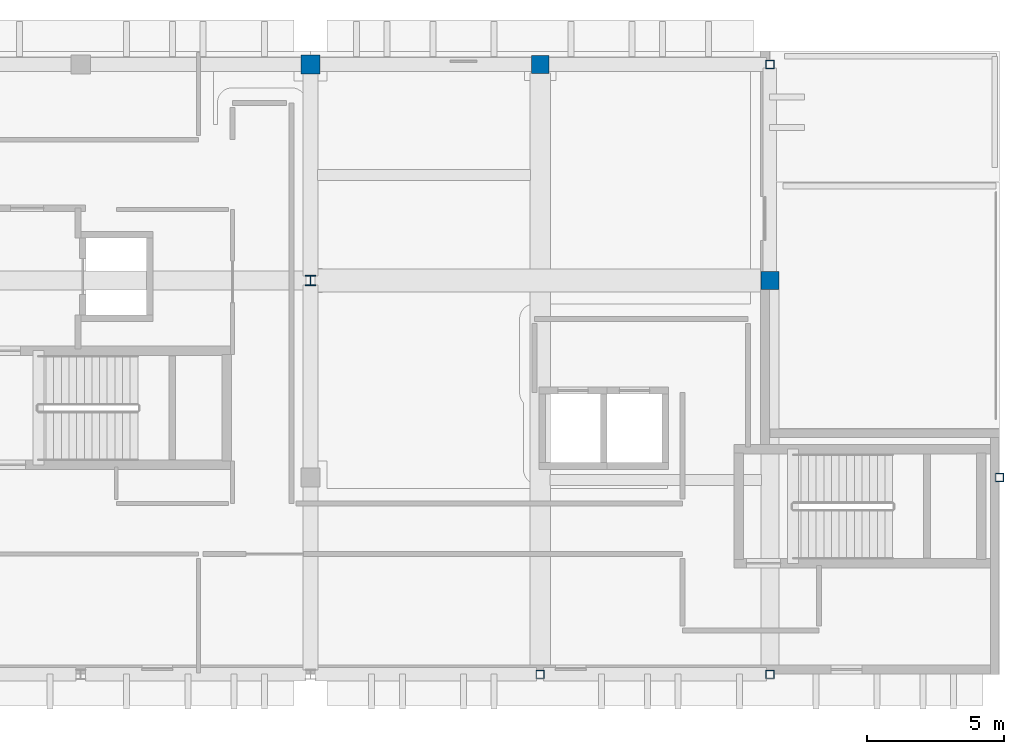
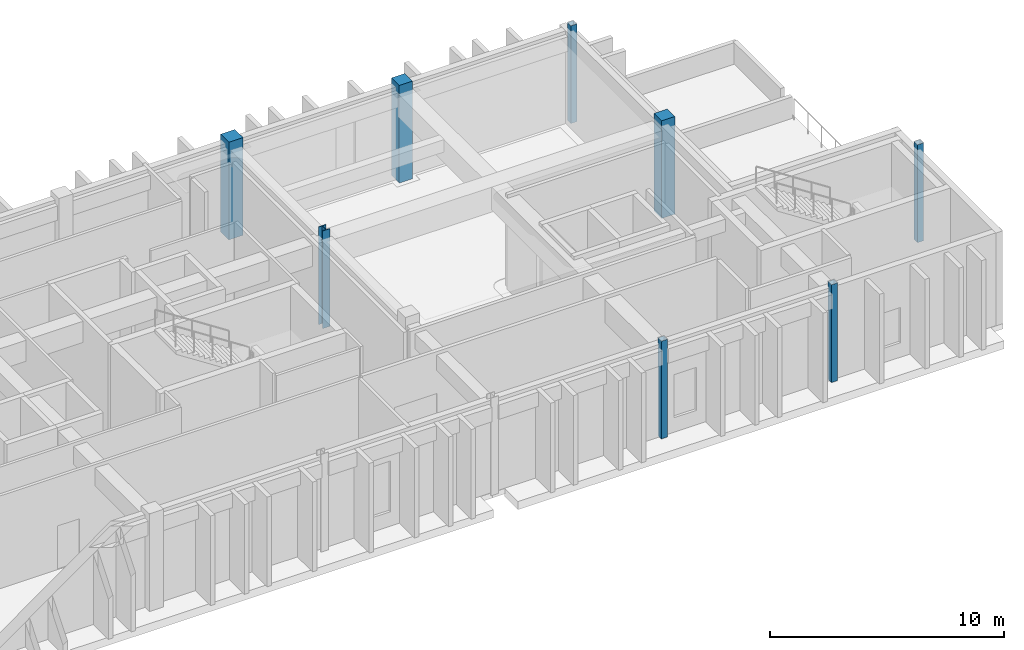
# One storey, part 2 of 9: 8 columns.
"""IFC4 building model written with IfcOpenShell, lengths in metres."""

from ifc_helpers import new_model, si_unit, direction, frame, origin, origin_2d, place, context, subcontext, project, spatial, rectangle, hollow_rectangle, i_section, extrude, material, material_profile, profile_set, type_object, element, save


model = new_model("IFC4")

# Units and contexts
model_context = context("Model", 3, precision=1e-05, world=origin(), true_north=direction((0.0, 1.0)))
body_context = subcontext(model_context, "Body", "Model", "MODEL_VIEW")
ifc_project = project(units=[si_unit("LENGTHUNIT", "METRE"), si_unit("AREAUNIT", "SQUARE_METRE"), si_unit("VOLUMEUNIT", "CUBIC_METRE"), si_unit("PLANEANGLEUNIT", "RADIAN"), si_unit("MASSUNIT", "GRAM", prefix="KILO")], contexts=[model_context])

# Site, building, storey
site_placement = place(None, origin())
site = spatial("IfcSite", under=ifc_project, at=site_placement, CompositionType="ELEMENT")
building_placement = place(site_placement, origin())
building = spatial("IfcBuilding", under=site, at=building_placement, Name="Quendrovan Civic Courthouse", CompositionType="ELEMENT")
storey_placement = place(building_placement, frame((0.0, 0.0, 30.60009765625)))
storey = spatial("IfcBuildingStorey", under=building, at=storey_placement, Name="L07", CompositionType="ELEMENT", Elevation=30.60009765625)

# Columns
ifc_material_1 = material(Name="Concrete C45/55", Category="concrete")
ifc_material_profile_1 = material_profile(ifc_material_1, rectangle(XDim=0.64990234375, YDim=0.64990234375, at=origin_2d()), Name="RC-COL-650x650")
ifc_profile_set_1 = profile_set([ifc_material_profile_1], Name="Concrete C45/55")
column_type_1 = type_object("IfcColumnType", Name="COL-RC650", PredefinedType="COLUMN", material=ifc_profile_set_1)
for number, where, z_axis, x_axis, name in (
    (1, (75.60009765625, 109.89990234375, 0.0), (0.0, 0.0, 1.0), (1.0, 0.0, 0.0), "L07 Column 10-Q"),
    (2, (84.0, 102.0, 0.0), (0.0, 0.0, 1.0), (1.0, 0.0, 0.0), "L07 Column 11-P"),
):
    element("IfcColumn", number, at=place(storey_placement, frame(where, z_axis=z_axis, x_axis=x_axis)), inside=storey, type_object=column_type_1, Name=name, PredefinedType="COLUMN", context=body_context, shape_type="SweptSolid", body=[
        extrude(rectangle(XDim=0.64990234375, YDim=0.64990234375, at=origin_2d()), origin(), (0.0, 0.0, 1.0), 5.099853515625),
    ])
ifc_material_profile_2 = material_profile(ifc_material_1, rectangle(XDim=0.699951171875, YDim=0.699951171875, at=origin_2d()), Name="RC-COL-700x700")
ifc_profile_set_2 = profile_set([ifc_material_profile_2], Name="Concrete C45/55")
column_type_2 = type_object("IfcColumnType", Name="COL-RC700", PredefinedType="COLUMN", material=ifc_profile_set_2)
column_1_placement = place(storey_placement, frame((67.199951171875, 109.89990234375, 0.0), z_axis=(0.0, 0.0, 1.0), x_axis=(1.0, 0.0, 0.0)))
element("IfcColumn", 3, at=column_1_placement, inside=storey, type_object=column_type_2, Name="L07 Column 9-Q", PredefinedType="COLUMN", context=body_context, shape_type="SweptSolid", body=[
    extrude(rectangle(XDim=0.699951171875, YDim=0.699951171875, at=origin_2d()), origin(), (0.0, 0.0, 1.0), 5.099853515625),
])
ifc_material_2 = material(Name="Steel ASTM A500 Grade C", Category="steel")
ifc_material_profile_3 = material_profile(ifc_material_2, hollow_rectangle(XDim=0.300048828125, YDim=0.300048828125, WallThickness=0.011962890625, at=origin_2d()), Name="HSS300x300x12")
ifc_profile_set_3 = profile_set([ifc_material_profile_3], Name="Steel ASTM A500 Grade C")
column_type_3 = type_object("IfcColumnType", Name="COL-STL-HSS300S", PredefinedType="COLUMN", material=ifc_profile_set_3)
for number, where, z_axis, x_axis, name in (
    (4, (75.60009765625, 87.60009765625, 0.0), (0.0, 0.0, 1.0), (1.0, 0.0, 0.0), "L07 Column 10-M"),
    (5, (84.0, 87.60009765625, 0.0), (0.0, 0.0, 1.0), (1.0, 0.0, 0.0), "L07 Column 11-M"),
    (6, (84.0, 109.89990234375, 0.0), (0.0, 0.0, 1.0), (1.0, 0.0, 0.0), "L07 Column 11-Q"),
    (7, (92.39990234375, 94.800048828125, 0.0), (0.0, 0.0, 1.0), (1.0, 0.0, 0.0), "L07 Column 12-N"),
):
    element("IfcColumn", number, at=place(storey_placement, frame(where, z_axis=z_axis, x_axis=x_axis)), inside=storey, type_object=column_type_3, Name=name, PredefinedType="COLUMN", context=body_context, shape_type="SweptSolid", body=[
        extrude(hollow_rectangle(XDim=0.300048828125, YDim=0.300048828125, WallThickness=0.011962890625, at=origin_2d()), origin(), (0.0, 0.0, 1.0), 5.099853515625),
    ])
ifc_material_3 = material(Name="Steel ASTM A992 Grade 50", Category="steel")
ifc_material_profile_4 = material_profile(ifc_material_3, i_section(OverallWidth=0.3740234375, OverallDepth=0.3720703125, WebThickness=0.016357421875, FlangeThickness=0.026123046875, at=origin_2d()), Name="W14X132")
ifc_profile_set_4 = profile_set([ifc_material_profile_4], Name="Steel ASTM A992 Grade 50")
column_type_4 = type_object("IfcColumnType", Name="COL-STL-W14X132", PredefinedType="COLUMN", material=ifc_profile_set_4)
column_2_placement = place(storey_placement, frame((67.199951171875, 102.0, 0.0), z_axis=(0.0, 0.0, 1.0), x_axis=(1.0, 0.0, 0.0)))
element("IfcColumn", 8, at=column_2_placement, inside=storey, type_object=column_type_4, Name="L07 Column 9-P", PredefinedType="COLUMN", context=body_context, shape_type="SweptSolid", body=[
    extrude(i_section(OverallWidth=0.3740234375, OverallDepth=0.3720703125, WebThickness=0.016357421875, FlangeThickness=0.026123046875, at=origin_2d()), origin(), (0.0, 0.0, 1.0), 5.099853515625),
])

save(model, "model.ifc")
